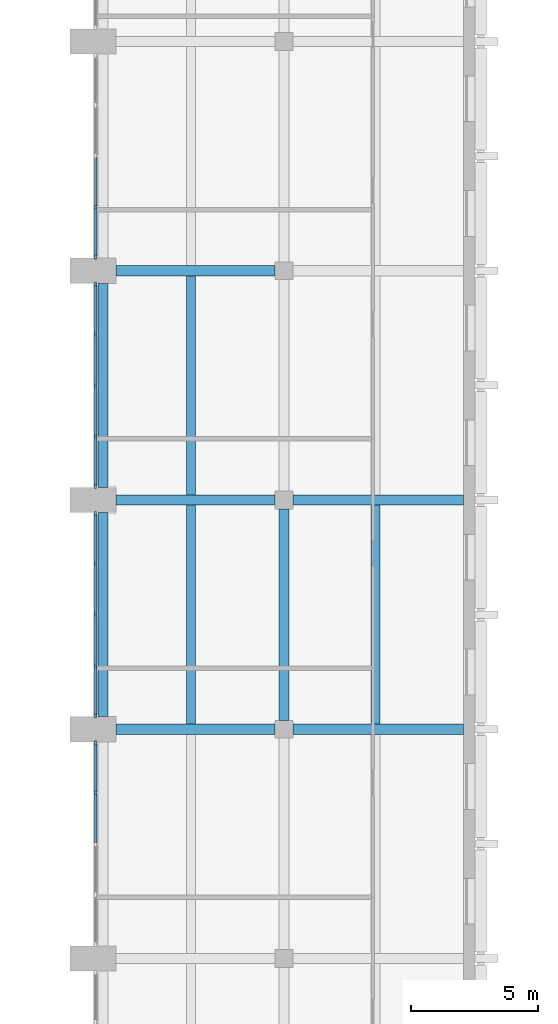
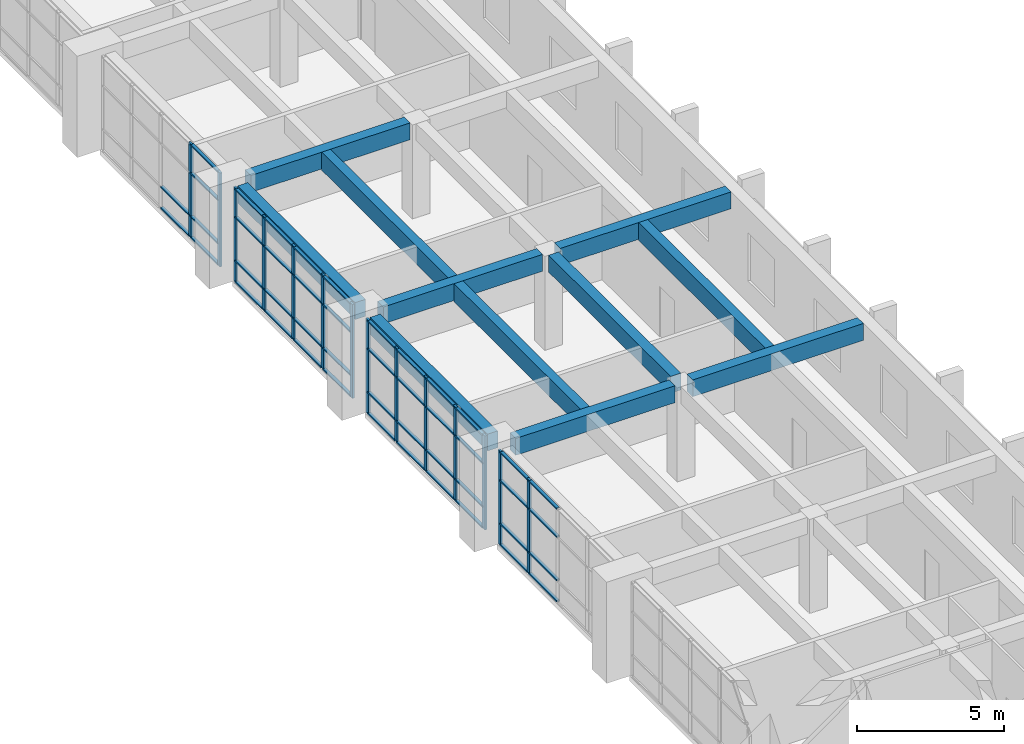
# One storey, part 12 of 43: 60 members, 11 beams, 4 elements without a shape of their own.
"""IFC4 building model written with IfcOpenShell, lengths in metres."""

from ifc_helpers import new_model, si_unit, direction, frame, origin, origin_2d, place, context, subcontext, project, spatial, rectangle, extrude, material, material_profile, profile_set, type_object, element, aggregate, save


model = new_model("IFC4")

# Units and contexts
model_context = context("Model", 3, precision=1e-05, world=origin(), true_north=direction((0.0, 1.0)))
body_context = subcontext(model_context, "Body", "Model", "MODEL_VIEW")
ifc_project = project(units=[si_unit("LENGTHUNIT", "METRE"), si_unit("AREAUNIT", "SQUARE_METRE"), si_unit("VOLUMEUNIT", "CUBIC_METRE"), si_unit("PLANEANGLEUNIT", "RADIAN"), si_unit("MASSUNIT", "GRAM", prefix="KILO")], contexts=[model_context])

# Site, building, storey
site_placement = place(None, origin())
site = spatial("IfcSite", under=ifc_project, at=site_placement, CompositionType="ELEMENT")
building_placement = place(site_placement, origin())
building = spatial("IfcBuilding", under=site, at=building_placement, Name="Elmora Arch Market Hall", CompositionType="ELEMENT")
storey_placement = place(building_placement, frame((0.0, 0.0, 10.199951171875)))
storey = spatial("IfcBuildingStorey", under=building, at=storey_placement, Name="L02", CompositionType="ELEMENT", Elevation=10.199951171875)

# Curtain wall, members
ifc_material_1 = material(Name="Aluminium", Category="aluminium")
curtain_wall_type = type_object("IfcCurtainWallType", Name="Hall front curtain wall", PredefinedType="NOTDEFINED", material=ifc_material_1)
curtain_wall_1_placement = place(storey_placement, origin())
curtain_wall_1 = element("IfcCurtainWall", 1, at=curtain_wall_1_placement, inside=storey, type_object=curtain_wall_type, Name="Wing front E L02 3", PredefinedType="NOTDEFINED")
ifc_material_2 = material(Name="Aluminium", Category="aluminium")
ifc_material_profile_1 = material_profile(ifc_material_2, rectangle(XDim=0.080078125, YDim=0.179931640625, at=origin_2d()), Name="AL 80x180")
ifc_profile_set_1 = profile_set([ifc_material_profile_1], Name="Aluminium")
member_type_1 = type_object("IfcMemberType", Name="Mullion 80x180", PredefinedType="MULLION", material=ifc_profile_set_1)
member_1_placement = place(storey_placement, frame((43.10009765625, 51.5, 0.0), z_axis=(0.0, 0.0, 1.0), x_axis=(-1.0, 0.0, 0.0)))
member_1 = element("IfcMember", 2, at=member_1_placement, type_object=member_type_1, Name="CW2 mullion 4", PredefinedType="MULLION", context=body_context, shape_type="SweptSolid", body=[
    extrude(rectangle(XDim=0.080078125, YDim=0.179931640625, at=origin_2d()), origin(), (0.0, 0.0, 1.0), 3.900146484375),
])
member_2_placement = place(storey_placement, frame((43.10009765625, 53.4599609375, 0.0), z_axis=(0.0, 0.0, 1.0), x_axis=(-1.0, 0.0, 0.0)))
member_2 = element("IfcMember", 3, at=member_2_placement, type_object=member_type_1, Name="CW2 mullion 5", PredefinedType="MULLION", context=body_context, shape_type="SweptSolid", body=[
    extrude(rectangle(XDim=0.080078125, YDim=0.179931640625, at=origin_2d()), origin(), (0.0, 0.0, 1.0), 3.900146484375),
])

curtain_wall_2_placement = place(storey_placement, origin())
curtain_wall_2 = element("IfcCurtainWall", 4, at=curtain_wall_2_placement, inside=storey, type_object=curtain_wall_type, Name="Wing front E L02 4", PredefinedType="NOTDEFINED")
member_3_placement = place(storey_placement, frame((43.10009765625, 54.5400390625, 0.0), z_axis=(0.0, 0.0, 1.0), x_axis=(-1.0, 0.0, 0.0)))
member_3 = element("IfcMember", 5, at=member_3_placement, type_object=member_type_1, Name="CW2 mullion 1", PredefinedType="MULLION", context=body_context, shape_type="SweptSolid", body=[
    extrude(rectangle(XDim=0.080078125, YDim=0.179931640625, at=origin_2d()), origin(), (0.0, 0.0, 1.0), 3.900146484375),
])
member_4_placement = place(storey_placement, frame((43.10009765625, 56.5, 0.0), z_axis=(0.0, 0.0, 1.0), x_axis=(-1.0, 0.0, 0.0)))
member_4 = element("IfcMember", 6, at=member_4_placement, type_object=member_type_1, Name="CW2 mullion 2", PredefinedType="MULLION", context=body_context, shape_type="SweptSolid", body=[
    extrude(rectangle(XDim=0.080078125, YDim=0.179931640625, at=origin_2d()), origin(), (0.0, 0.0, 1.0), 3.900146484375),
])
member_5_placement = place(storey_placement, frame((43.10009765625, 58.5, 0.0), z_axis=(0.0, 0.0, 1.0), x_axis=(-1.0, 0.0, 0.0)))
member_5 = element("IfcMember", 7, at=member_5_placement, type_object=member_type_1, Name="CW2 mullion 3", PredefinedType="MULLION", context=body_context, shape_type="SweptSolid", body=[
    extrude(rectangle(XDim=0.080078125, YDim=0.179931640625, at=origin_2d()), origin(), (0.0, 0.0, 1.0), 3.900146484375),
])
member_6_placement = place(storey_placement, frame((43.10009765625, 60.5, 0.0), z_axis=(0.0, 0.0, 1.0), x_axis=(-1.0, 0.0, 0.0)))
member_6 = element("IfcMember", 8, at=member_6_placement, type_object=member_type_1, Name="CW2 mullion 4", PredefinedType="MULLION", context=body_context, shape_type="SweptSolid", body=[
    extrude(rectangle(XDim=0.080078125, YDim=0.179931640625, at=origin_2d()), origin(), (0.0, 0.0, 1.0), 3.900146484375),
])
member_7_placement = place(storey_placement, frame((43.10009765625, 62.4599609375, 0.0), z_axis=(0.0, 0.0, 1.0), x_axis=(-1.0, 0.0, 0.0)))
member_7 = element("IfcMember", 9, at=member_7_placement, type_object=member_type_1, Name="CW2 mullion 5", PredefinedType="MULLION", context=body_context, shape_type="SweptSolid", body=[
    extrude(rectangle(XDim=0.080078125, YDim=0.179931640625, at=origin_2d()), origin(), (0.0, 0.0, 1.0), 3.900146484375),
])

curtain_wall_3_placement = place(storey_placement, origin())
curtain_wall_3 = element("IfcCurtainWall", 10, at=curtain_wall_3_placement, inside=storey, type_object=curtain_wall_type, Name="Wing front E L02 5", PredefinedType="NOTDEFINED")
member_8_placement = place(storey_placement, frame((43.10009765625, 63.5400390625, 0.0), z_axis=(0.0, 0.0, 1.0), x_axis=(-1.0, 0.0, 0.0)))
member_8 = element("IfcMember", 11, at=member_8_placement, type_object=member_type_1, Name="CW2 mullion 1", PredefinedType="MULLION", context=body_context, shape_type="SweptSolid", body=[
    extrude(rectangle(XDim=0.080078125, YDim=0.179931640625, at=origin_2d()), origin(), (0.0, 0.0, 1.0), 3.900146484375),
])
member_9_placement = place(storey_placement, frame((43.10009765625, 65.5, 0.0), z_axis=(0.0, 0.0, 1.0), x_axis=(-1.0, 0.0, 0.0)))
member_9 = element("IfcMember", 12, at=member_9_placement, type_object=member_type_1, Name="CW2 mullion 2", PredefinedType="MULLION", context=body_context, shape_type="SweptSolid", body=[
    extrude(rectangle(XDim=0.080078125, YDim=0.179931640625, at=origin_2d()), origin(), (0.0, 0.0, 1.0), 3.900146484375),
])
member_10_placement = place(storey_placement, frame((43.10009765625, 67.5, 0.0), z_axis=(0.0, 0.0, 1.0), x_axis=(-1.0, 0.0, 0.0)))
member_10 = element("IfcMember", 13, at=member_10_placement, type_object=member_type_1, Name="CW2 mullion 3", PredefinedType="MULLION", context=body_context, shape_type="SweptSolid", body=[
    extrude(rectangle(XDim=0.080078125, YDim=0.179931640625, at=origin_2d()), origin(), (0.0, 0.0, 1.0), 3.900146484375),
])
member_11_placement = place(storey_placement, frame((43.10009765625, 69.5, 0.0), z_axis=(0.0, 0.0, 1.0), x_axis=(-1.0, 0.0, 0.0)))
member_11 = element("IfcMember", 14, at=member_11_placement, type_object=member_type_1, Name="CW2 mullion 4", PredefinedType="MULLION", context=body_context, shape_type="SweptSolid", body=[
    extrude(rectangle(XDim=0.080078125, YDim=0.179931640625, at=origin_2d()), origin(), (0.0, 0.0, 1.0), 3.900146484375),
])
member_12_placement = place(storey_placement, frame((43.10009765625, 71.4599609375, 0.0), z_axis=(0.0, 0.0, 1.0), x_axis=(-1.0, 0.0, 0.0)))
member_12 = element("IfcMember", 15, at=member_12_placement, type_object=member_type_1, Name="CW2 mullion 5", PredefinedType="MULLION", context=body_context, shape_type="SweptSolid", body=[
    extrude(rectangle(XDim=0.080078125, YDim=0.179931640625, at=origin_2d()), origin(), (0.0, 0.0, 1.0), 3.900146484375),
])

curtain_wall_4_placement = place(storey_placement, origin())
curtain_wall_4 = element("IfcCurtainWall", 16, at=curtain_wall_4_placement, inside=storey, type_object=curtain_wall_type, Name="Wing front E L02 6", PredefinedType="NOTDEFINED")
member_13_placement = place(storey_placement, frame((43.10009765625, 72.5400390625, 0.0), z_axis=(0.0, 0.0, 1.0), x_axis=(-1.0, 0.0, 0.0)))
member_13 = element("IfcMember", 17, at=member_13_placement, type_object=member_type_1, Name="CW2 mullion 1", PredefinedType="MULLION", context=body_context, shape_type="SweptSolid", body=[
    extrude(rectangle(XDim=0.080078125, YDim=0.179931640625, at=origin_2d()), origin(), (0.0, 0.0, 1.0), 3.900146484375),
])
member_14_placement = place(storey_placement, frame((43.10009765625, 74.5, 0.0), z_axis=(0.0, 0.0, 1.0), x_axis=(-1.0, 0.0, 0.0)))
member_14 = element("IfcMember", 18, at=member_14_placement, type_object=member_type_1, Name="CW2 mullion 2", PredefinedType="MULLION", context=body_context, shape_type="SweptSolid", body=[
    extrude(rectangle(XDim=0.080078125, YDim=0.179931640625, at=origin_2d()), origin(), (0.0, 0.0, 1.0), 3.900146484375),
])

# Member
ifc_material_3 = material(Name="Aluminium", Category="aluminium")
ifc_material_profile_2 = material_profile(ifc_material_3, rectangle(XDim=0.1201171875, YDim=0.06005859375, at=origin_2d()), Name="AL 120x60")
ifc_profile_set_2 = profile_set([ifc_material_profile_2], Name="Aluminium")
member_type_2 = type_object("IfcMemberType", Name="Transom 120x60", PredefinedType="USERDEFINED", material=ifc_profile_set_2)
member_15_placement = place(storey_placement, frame((43.10009765625, 49.5400390625, 0.030029296875), z_axis=(0.0, 1.0, 0.0), x_axis=(-1.0, 0.0, 0.0)))
member_15 = element("IfcMember", 19, at=member_15_placement, type_object=member_type_2, Name="CW2 transom 3.1", ObjectType="TRANSOM", PredefinedType="USERDEFINED", context=body_context, shape_type="SweptSolid", body=[
    extrude(rectangle(XDim=0.1201171875, YDim=0.06005859375, at=origin_2d()), origin(), (0.0, 0.0, 1.0), 1.919921875),
])

member_16_placement = place(storey_placement, frame((43.10009765625, 49.5400390625, 0.900146484375), z_axis=(0.0, 1.0, 0.0), x_axis=(-1.0, 0.0, 0.0)))
member_16 = element("IfcMember", 20, at=member_16_placement, type_object=member_type_2, Name="CW2 transom 3.2", ObjectType="TRANSOM", PredefinedType="USERDEFINED", context=body_context, shape_type="SweptSolid", body=[
    extrude(rectangle(XDim=0.1201171875, YDim=0.06005859375, at=origin_2d()), origin(), (0.0, 0.0, 1.0), 1.919921875),
])

member_17_placement = place(storey_placement, frame((43.10009765625, 49.5400390625, 2.699951171875), z_axis=(0.0, 1.0, 0.0), x_axis=(-1.0, 0.0, 0.0)))
member_17 = element("IfcMember", 21, at=member_17_placement, type_object=member_type_2, Name="CW2 transom 3.3", ObjectType="TRANSOM", PredefinedType="USERDEFINED", context=body_context, shape_type="SweptSolid", body=[
    extrude(rectangle(XDim=0.1201171875, YDim=0.06005859375, at=origin_2d()), origin(), (0.0, 0.0, 1.0), 1.919921875),
])

member_18_placement = place(storey_placement, frame((43.10009765625, 49.5400390625, 3.8701171875), z_axis=(0.0, 1.0, 0.0), x_axis=(-1.0, 0.0, 0.0)))
member_18 = element("IfcMember", 22, at=member_18_placement, type_object=member_type_2, Name="CW2 transom 3.4", ObjectType="TRANSOM", PredefinedType="USERDEFINED", context=body_context, shape_type="SweptSolid", body=[
    extrude(rectangle(XDim=0.1201171875, YDim=0.06005859375, at=origin_2d()), origin(), (0.0, 0.0, 1.0), 1.919921875),
])

member_19_placement = place(storey_placement, frame((43.10009765625, 51.5400390625, 0.030029296875), z_axis=(0.0, 1.0, 0.0), x_axis=(-1.0, 0.0, 0.0)))
member_19 = element("IfcMember", 23, at=member_19_placement, type_object=member_type_2, Name="CW2 transom 4.1", ObjectType="TRANSOM", PredefinedType="USERDEFINED", context=body_context, shape_type="SweptSolid", body=[
    extrude(rectangle(XDim=0.1201171875, YDim=0.06005859375, at=origin_2d()), origin(), (0.0, 0.0, 1.0), 1.8798828125),
])

member_20_placement = place(storey_placement, frame((43.10009765625, 51.5400390625, 0.900146484375), z_axis=(0.0, 1.0, 0.0), x_axis=(-1.0, 0.0, 0.0)))
member_20 = element("IfcMember", 24, at=member_20_placement, type_object=member_type_2, Name="CW2 transom 4.2", ObjectType="TRANSOM", PredefinedType="USERDEFINED", context=body_context, shape_type="SweptSolid", body=[
    extrude(rectangle(XDim=0.1201171875, YDim=0.06005859375, at=origin_2d()), origin(), (0.0, 0.0, 1.0), 1.8798828125),
])

member_21_placement = place(storey_placement, frame((43.10009765625, 51.5400390625, 2.699951171875), z_axis=(0.0, 1.0, 0.0), x_axis=(-1.0, 0.0, 0.0)))
member_21 = element("IfcMember", 25, at=member_21_placement, type_object=member_type_2, Name="CW2 transom 4.3", ObjectType="TRANSOM", PredefinedType="USERDEFINED", context=body_context, shape_type="SweptSolid", body=[
    extrude(rectangle(XDim=0.1201171875, YDim=0.06005859375, at=origin_2d()), origin(), (0.0, 0.0, 1.0), 1.8798828125),
])

member_22_placement = place(storey_placement, frame((43.10009765625, 51.5400390625, 3.8701171875), z_axis=(0.0, 1.0, 0.0), x_axis=(-1.0, 0.0, 0.0)))
member_22 = element("IfcMember", 26, at=member_22_placement, type_object=member_type_2, Name="CW2 transom 4.4", ObjectType="TRANSOM", PredefinedType="USERDEFINED", context=body_context, shape_type="SweptSolid", body=[
    extrude(rectangle(XDim=0.1201171875, YDim=0.06005859375, at=origin_2d()), origin(), (0.0, 0.0, 1.0), 1.8798828125),
])

aggregate(curtain_wall_1, [member_1, member_2, member_15, member_16, member_17, member_18, member_19, member_20, member_21, member_22])

member_23_placement = place(storey_placement, frame((43.10009765625, 54.580078125, 0.030029296875), z_axis=(0.0, 1.0, 0.0), x_axis=(-1.0, 0.0, 0.0)))
member_23 = element("IfcMember", 27, at=member_23_placement, type_object=member_type_2, Name="CW2 transom 1.1", ObjectType="TRANSOM", PredefinedType="USERDEFINED", context=body_context, shape_type="SweptSolid", body=[
    extrude(rectangle(XDim=0.1201171875, YDim=0.06005859375, at=origin_2d()), origin(), (0.0, 0.0, 1.0), 1.8798828125),
])

member_24_placement = place(storey_placement, frame((43.10009765625, 54.580078125, 0.900146484375), z_axis=(0.0, 1.0, 0.0), x_axis=(-1.0, 0.0, 0.0)))
member_24 = element("IfcMember", 28, at=member_24_placement, type_object=member_type_2, Name="CW2 transom 1.2", ObjectType="TRANSOM", PredefinedType="USERDEFINED", context=body_context, shape_type="SweptSolid", body=[
    extrude(rectangle(XDim=0.1201171875, YDim=0.06005859375, at=origin_2d()), origin(), (0.0, 0.0, 1.0), 1.8798828125),
])

member_25_placement = place(storey_placement, frame((43.10009765625, 54.580078125, 2.699951171875), z_axis=(0.0, 1.0, 0.0), x_axis=(-1.0, 0.0, 0.0)))
member_25 = element("IfcMember", 29, at=member_25_placement, type_object=member_type_2, Name="CW2 transom 1.3", ObjectType="TRANSOM", PredefinedType="USERDEFINED", context=body_context, shape_type="SweptSolid", body=[
    extrude(rectangle(XDim=0.1201171875, YDim=0.06005859375, at=origin_2d()), origin(), (0.0, 0.0, 1.0), 1.8798828125),
])

member_26_placement = place(storey_placement, frame((43.10009765625, 54.580078125, 3.8701171875), z_axis=(0.0, 1.0, 0.0), x_axis=(-1.0, 0.0, 0.0)))
member_26 = element("IfcMember", 30, at=member_26_placement, type_object=member_type_2, Name="CW2 transom 1.4", ObjectType="TRANSOM", PredefinedType="USERDEFINED", context=body_context, shape_type="SweptSolid", body=[
    extrude(rectangle(XDim=0.1201171875, YDim=0.06005859375, at=origin_2d()), origin(), (0.0, 0.0, 1.0), 1.8798828125),
])

member_27_placement = place(storey_placement, frame((43.10009765625, 56.5400390625, 0.030029296875), z_axis=(0.0, 1.0, 0.0), x_axis=(-1.0, 0.0, 0.0)))
member_27 = element("IfcMember", 31, at=member_27_placement, type_object=member_type_2, Name="CW2 transom 2.1", ObjectType="TRANSOM", PredefinedType="USERDEFINED", context=body_context, shape_type="SweptSolid", body=[
    extrude(rectangle(XDim=0.1201171875, YDim=0.06005859375, at=origin_2d()), origin(), (0.0, 0.0, 1.0), 1.919921875),
])

member_28_placement = place(storey_placement, frame((43.10009765625, 56.5400390625, 0.900146484375), z_axis=(0.0, 1.0, 0.0), x_axis=(-1.0, 0.0, 0.0)))
member_28 = element("IfcMember", 32, at=member_28_placement, type_object=member_type_2, Name="CW2 transom 2.2", ObjectType="TRANSOM", PredefinedType="USERDEFINED", context=body_context, shape_type="SweptSolid", body=[
    extrude(rectangle(XDim=0.1201171875, YDim=0.06005859375, at=origin_2d()), origin(), (0.0, 0.0, 1.0), 1.919921875),
])

member_29_placement = place(storey_placement, frame((43.10009765625, 56.5400390625, 2.699951171875), z_axis=(0.0, 1.0, 0.0), x_axis=(-1.0, 0.0, 0.0)))
member_29 = element("IfcMember", 33, at=member_29_placement, type_object=member_type_2, Name="CW2 transom 2.3", ObjectType="TRANSOM", PredefinedType="USERDEFINED", context=body_context, shape_type="SweptSolid", body=[
    extrude(rectangle(XDim=0.1201171875, YDim=0.06005859375, at=origin_2d()), origin(), (0.0, 0.0, 1.0), 1.919921875),
])

member_30_placement = place(storey_placement, frame((43.10009765625, 56.5400390625, 3.8701171875), z_axis=(0.0, 1.0, 0.0), x_axis=(-1.0, 0.0, 0.0)))
member_30 = element("IfcMember", 34, at=member_30_placement, type_object=member_type_2, Name="CW2 transom 2.4", ObjectType="TRANSOM", PredefinedType="USERDEFINED", context=body_context, shape_type="SweptSolid", body=[
    extrude(rectangle(XDim=0.1201171875, YDim=0.06005859375, at=origin_2d()), origin(), (0.0, 0.0, 1.0), 1.919921875),
])

member_31_placement = place(storey_placement, frame((43.10009765625, 58.5400390625, 0.030029296875), z_axis=(0.0, 1.0, 0.0), x_axis=(-1.0, 0.0, 0.0)))
member_31 = element("IfcMember", 35, at=member_31_placement, type_object=member_type_2, Name="CW2 transom 3.1", ObjectType="TRANSOM", PredefinedType="USERDEFINED", context=body_context, shape_type="SweptSolid", body=[
    extrude(rectangle(XDim=0.1201171875, YDim=0.06005859375, at=origin_2d()), origin(), (0.0, 0.0, 1.0), 1.919921875),
])

member_32_placement = place(storey_placement, frame((43.10009765625, 58.5400390625, 0.900146484375), z_axis=(0.0, 1.0, 0.0), x_axis=(-1.0, 0.0, 0.0)))
member_32 = element("IfcMember", 36, at=member_32_placement, type_object=member_type_2, Name="CW2 transom 3.2", ObjectType="TRANSOM", PredefinedType="USERDEFINED", context=body_context, shape_type="SweptSolid", body=[
    extrude(rectangle(XDim=0.1201171875, YDim=0.06005859375, at=origin_2d()), origin(), (0.0, 0.0, 1.0), 1.919921875),
])

member_33_placement = place(storey_placement, frame((43.10009765625, 58.5400390625, 2.699951171875), z_axis=(0.0, 1.0, 0.0), x_axis=(-1.0, 0.0, 0.0)))
member_33 = element("IfcMember", 37, at=member_33_placement, type_object=member_type_2, Name="CW2 transom 3.3", ObjectType="TRANSOM", PredefinedType="USERDEFINED", context=body_context, shape_type="SweptSolid", body=[
    extrude(rectangle(XDim=0.1201171875, YDim=0.06005859375, at=origin_2d()), origin(), (0.0, 0.0, 1.0), 1.919921875),
])

member_34_placement = place(storey_placement, frame((43.10009765625, 58.5400390625, 3.8701171875), z_axis=(0.0, 1.0, 0.0), x_axis=(-1.0, 0.0, 0.0)))
member_34 = element("IfcMember", 38, at=member_34_placement, type_object=member_type_2, Name="CW2 transom 3.4", ObjectType="TRANSOM", PredefinedType="USERDEFINED", context=body_context, shape_type="SweptSolid", body=[
    extrude(rectangle(XDim=0.1201171875, YDim=0.06005859375, at=origin_2d()), origin(), (0.0, 0.0, 1.0), 1.919921875),
])

member_35_placement = place(storey_placement, frame((43.10009765625, 60.5400390625, 0.030029296875), z_axis=(0.0, 1.0, 0.0), x_axis=(-1.0, 0.0, 0.0)))
member_35 = element("IfcMember", 39, at=member_35_placement, type_object=member_type_2, Name="CW2 transom 4.1", ObjectType="TRANSOM", PredefinedType="USERDEFINED", context=body_context, shape_type="SweptSolid", body=[
    extrude(rectangle(XDim=0.1201171875, YDim=0.06005859375, at=origin_2d()), origin(), (0.0, 0.0, 1.0), 1.8798828125),
])

member_36_placement = place(storey_placement, frame((43.10009765625, 60.5400390625, 0.900146484375), z_axis=(0.0, 1.0, 0.0), x_axis=(-1.0, 0.0, 0.0)))
member_36 = element("IfcMember", 40, at=member_36_placement, type_object=member_type_2, Name="CW2 transom 4.2", ObjectType="TRANSOM", PredefinedType="USERDEFINED", context=body_context, shape_type="SweptSolid", body=[
    extrude(rectangle(XDim=0.1201171875, YDim=0.06005859375, at=origin_2d()), origin(), (0.0, 0.0, 1.0), 1.8798828125),
])

member_37_placement = place(storey_placement, frame((43.10009765625, 60.5400390625, 2.699951171875), z_axis=(0.0, 1.0, 0.0), x_axis=(-1.0, 0.0, 0.0)))
member_37 = element("IfcMember", 41, at=member_37_placement, type_object=member_type_2, Name="CW2 transom 4.3", ObjectType="TRANSOM", PredefinedType="USERDEFINED", context=body_context, shape_type="SweptSolid", body=[
    extrude(rectangle(XDim=0.1201171875, YDim=0.06005859375, at=origin_2d()), origin(), (0.0, 0.0, 1.0), 1.8798828125),
])

member_38_placement = place(storey_placement, frame((43.10009765625, 60.5400390625, 3.8701171875), z_axis=(0.0, 1.0, 0.0), x_axis=(-1.0, 0.0, 0.0)))
member_38 = element("IfcMember", 42, at=member_38_placement, type_object=member_type_2, Name="CW2 transom 4.4", ObjectType="TRANSOM", PredefinedType="USERDEFINED", context=body_context, shape_type="SweptSolid", body=[
    extrude(rectangle(XDim=0.1201171875, YDim=0.06005859375, at=origin_2d()), origin(), (0.0, 0.0, 1.0), 1.8798828125),
])

aggregate(curtain_wall_2, [member_3, member_4, member_5, member_6, member_7, member_23, member_24, member_25, member_26, member_27, member_28, member_29, member_30, member_31, member_32, member_33, member_34, member_35, member_36, member_37, member_38])

member_39_placement = place(storey_placement, frame((43.10009765625, 63.580078125, 0.030029296875), z_axis=(0.0, 1.0, 0.0), x_axis=(-1.0, 0.0, 0.0)))
member_39 = element("IfcMember", 43, at=member_39_placement, type_object=member_type_2, Name="CW2 transom 1.1", ObjectType="TRANSOM", PredefinedType="USERDEFINED", context=body_context, shape_type="SweptSolid", body=[
    extrude(rectangle(XDim=0.1201171875, YDim=0.06005859375, at=origin_2d()), origin(), (0.0, 0.0, 1.0), 1.8798828125),
])

member_40_placement = place(storey_placement, frame((43.10009765625, 63.580078125, 0.900146484375), z_axis=(0.0, 1.0, 0.0), x_axis=(-1.0, 0.0, 0.0)))
member_40 = element("IfcMember", 44, at=member_40_placement, type_object=member_type_2, Name="CW2 transom 1.2", ObjectType="TRANSOM", PredefinedType="USERDEFINED", context=body_context, shape_type="SweptSolid", body=[
    extrude(rectangle(XDim=0.1201171875, YDim=0.06005859375, at=origin_2d()), origin(), (0.0, 0.0, 1.0), 1.8798828125),
])

member_41_placement = place(storey_placement, frame((43.10009765625, 63.580078125, 2.699951171875), z_axis=(0.0, 1.0, 0.0), x_axis=(-1.0, 0.0, 0.0)))
member_41 = element("IfcMember", 45, at=member_41_placement, type_object=member_type_2, Name="CW2 transom 1.3", ObjectType="TRANSOM", PredefinedType="USERDEFINED", context=body_context, shape_type="SweptSolid", body=[
    extrude(rectangle(XDim=0.1201171875, YDim=0.06005859375, at=origin_2d()), origin(), (0.0, 0.0, 1.0), 1.8798828125),
])

member_42_placement = place(storey_placement, frame((43.10009765625, 63.580078125, 3.8701171875), z_axis=(0.0, 1.0, 0.0), x_axis=(-1.0, 0.0, 0.0)))
member_42 = element("IfcMember", 46, at=member_42_placement, type_object=member_type_2, Name="CW2 transom 1.4", ObjectType="TRANSOM", PredefinedType="USERDEFINED", context=body_context, shape_type="SweptSolid", body=[
    extrude(rectangle(XDim=0.1201171875, YDim=0.06005859375, at=origin_2d()), origin(), (0.0, 0.0, 1.0), 1.8798828125),
])

member_43_placement = place(storey_placement, frame((43.10009765625, 65.5400390625, 0.030029296875), z_axis=(0.0, 1.0, 0.0), x_axis=(-1.0, 0.0, 0.0)))
member_43 = element("IfcMember", 47, at=member_43_placement, type_object=member_type_2, Name="CW2 transom 2.1", ObjectType="TRANSOM", PredefinedType="USERDEFINED", context=body_context, shape_type="SweptSolid", body=[
    extrude(rectangle(XDim=0.1201171875, YDim=0.06005859375, at=origin_2d()), origin(), (0.0, 0.0, 1.0), 1.919921875),
])

member_44_placement = place(storey_placement, frame((43.10009765625, 65.5400390625, 0.900146484375), z_axis=(0.0, 1.0, 0.0), x_axis=(-1.0, 0.0, 0.0)))
member_44 = element("IfcMember", 48, at=member_44_placement, type_object=member_type_2, Name="CW2 transom 2.2", ObjectType="TRANSOM", PredefinedType="USERDEFINED", context=body_context, shape_type="SweptSolid", body=[
    extrude(rectangle(XDim=0.1201171875, YDim=0.06005859375, at=origin_2d()), origin(), (0.0, 0.0, 1.0), 1.919921875),
])

member_45_placement = place(storey_placement, frame((43.10009765625, 65.5400390625, 2.699951171875), z_axis=(0.0, 1.0, 0.0), x_axis=(-1.0, 0.0, 0.0)))
member_45 = element("IfcMember", 49, at=member_45_placement, type_object=member_type_2, Name="CW2 transom 2.3", ObjectType="TRANSOM", PredefinedType="USERDEFINED", context=body_context, shape_type="SweptSolid", body=[
    extrude(rectangle(XDim=0.1201171875, YDim=0.06005859375, at=origin_2d()), origin(), (0.0, 0.0, 1.0), 1.919921875),
])

member_46_placement = place(storey_placement, frame((43.10009765625, 65.5400390625, 3.8701171875), z_axis=(0.0, 1.0, 0.0), x_axis=(-1.0, 0.0, 0.0)))
member_46 = element("IfcMember", 50, at=member_46_placement, type_object=member_type_2, Name="CW2 transom 2.4", ObjectType="TRANSOM", PredefinedType="USERDEFINED", context=body_context, shape_type="SweptSolid", body=[
    extrude(rectangle(XDim=0.1201171875, YDim=0.06005859375, at=origin_2d()), origin(), (0.0, 0.0, 1.0), 1.919921875),
])

member_47_placement = place(storey_placement, frame((43.10009765625, 67.5400390625, 0.030029296875), z_axis=(0.0, 1.0, 0.0), x_axis=(-1.0, 0.0, 0.0)))
member_47 = element("IfcMember", 51, at=member_47_placement, type_object=member_type_2, Name="CW2 transom 3.1", ObjectType="TRANSOM", PredefinedType="USERDEFINED", context=body_context, shape_type="SweptSolid", body=[
    extrude(rectangle(XDim=0.1201171875, YDim=0.06005859375, at=origin_2d()), origin(), (0.0, 0.0, 1.0), 1.919921875),
])

member_48_placement = place(storey_placement, frame((43.10009765625, 67.5400390625, 0.900146484375), z_axis=(0.0, 1.0, 0.0), x_axis=(-1.0, 0.0, 0.0)))
member_48 = element("IfcMember", 52, at=member_48_placement, type_object=member_type_2, Name="CW2 transom 3.2", ObjectType="TRANSOM", PredefinedType="USERDEFINED", context=body_context, shape_type="SweptSolid", body=[
    extrude(rectangle(XDim=0.1201171875, YDim=0.06005859375, at=origin_2d()), origin(), (0.0, 0.0, 1.0), 1.919921875),
])

member_49_placement = place(storey_placement, frame((43.10009765625, 67.5400390625, 2.699951171875), z_axis=(0.0, 1.0, 0.0), x_axis=(-1.0, 0.0, 0.0)))
member_49 = element("IfcMember", 53, at=member_49_placement, type_object=member_type_2, Name="CW2 transom 3.3", ObjectType="TRANSOM", PredefinedType="USERDEFINED", context=body_context, shape_type="SweptSolid", body=[
    extrude(rectangle(XDim=0.1201171875, YDim=0.06005859375, at=origin_2d()), origin(), (0.0, 0.0, 1.0), 1.919921875),
])

member_50_placement = place(storey_placement, frame((43.10009765625, 67.5400390625, 3.8701171875), z_axis=(0.0, 1.0, 0.0), x_axis=(-1.0, 0.0, 0.0)))
member_50 = element("IfcMember", 54, at=member_50_placement, type_object=member_type_2, Name="CW2 transom 3.4", ObjectType="TRANSOM", PredefinedType="USERDEFINED", context=body_context, shape_type="SweptSolid", body=[
    extrude(rectangle(XDim=0.1201171875, YDim=0.06005859375, at=origin_2d()), origin(), (0.0, 0.0, 1.0), 1.919921875),
])

member_51_placement = place(storey_placement, frame((43.10009765625, 69.5400390625, 0.030029296875), z_axis=(0.0, 1.0, 0.0), x_axis=(-1.0, 0.0, 0.0)))
member_51 = element("IfcMember", 55, at=member_51_placement, type_object=member_type_2, Name="CW2 transom 4.1", ObjectType="TRANSOM", PredefinedType="USERDEFINED", context=body_context, shape_type="SweptSolid", body=[
    extrude(rectangle(XDim=0.1201171875, YDim=0.06005859375, at=origin_2d()), origin(), (0.0, 0.0, 1.0), 1.8798828125),
])

member_52_placement = place(storey_placement, frame((43.10009765625, 69.5400390625, 0.900146484375), z_axis=(0.0, 1.0, 0.0), x_axis=(-1.0, 0.0, 0.0)))
member_52 = element("IfcMember", 56, at=member_52_placement, type_object=member_type_2, Name="CW2 transom 4.2", ObjectType="TRANSOM", PredefinedType="USERDEFINED", context=body_context, shape_type="SweptSolid", body=[
    extrude(rectangle(XDim=0.1201171875, YDim=0.06005859375, at=origin_2d()), origin(), (0.0, 0.0, 1.0), 1.8798828125),
])

member_53_placement = place(storey_placement, frame((43.10009765625, 69.5400390625, 2.699951171875), z_axis=(0.0, 1.0, 0.0), x_axis=(-1.0, 0.0, 0.0)))
member_53 = element("IfcMember", 57, at=member_53_placement, type_object=member_type_2, Name="CW2 transom 4.3", ObjectType="TRANSOM", PredefinedType="USERDEFINED", context=body_context, shape_type="SweptSolid", body=[
    extrude(rectangle(XDim=0.1201171875, YDim=0.06005859375, at=origin_2d()), origin(), (0.0, 0.0, 1.0), 1.8798828125),
])

member_54_placement = place(storey_placement, frame((43.10009765625, 69.5400390625, 3.8701171875), z_axis=(0.0, 1.0, 0.0), x_axis=(-1.0, 0.0, 0.0)))
member_54 = element("IfcMember", 58, at=member_54_placement, type_object=member_type_2, Name="CW2 transom 4.4", ObjectType="TRANSOM", PredefinedType="USERDEFINED", context=body_context, shape_type="SweptSolid", body=[
    extrude(rectangle(XDim=0.1201171875, YDim=0.06005859375, at=origin_2d()), origin(), (0.0, 0.0, 1.0), 1.8798828125),
])

aggregate(curtain_wall_3, [member_8, member_9, member_10, member_11, member_12, member_39, member_40, member_41, member_42, member_43, member_44, member_45, member_46, member_47, member_48, member_49, member_50, member_51, member_52, member_53, member_54])

member_55_placement = place(storey_placement, frame((43.10009765625, 72.580078125, 0.030029296875), z_axis=(0.0, 1.0, 0.0), x_axis=(-1.0, 0.0, 0.0)))
member_55 = element("IfcMember", 59, at=member_55_placement, type_object=member_type_2, Name="CW2 transom 1.1", ObjectType="TRANSOM", PredefinedType="USERDEFINED", context=body_context, shape_type="SweptSolid", body=[
    extrude(rectangle(XDim=0.1201171875, YDim=0.06005859375, at=origin_2d()), origin(), (0.0, 0.0, 1.0), 1.8798828125),
])

member_56_placement = place(storey_placement, frame((43.10009765625, 72.580078125, 0.900146484375), z_axis=(0.0, 1.0, 0.0), x_axis=(-1.0, 0.0, 0.0)))
member_56 = element("IfcMember", 60, at=member_56_placement, type_object=member_type_2, Name="CW2 transom 1.2", ObjectType="TRANSOM", PredefinedType="USERDEFINED", context=body_context, shape_type="SweptSolid", body=[
    extrude(rectangle(XDim=0.1201171875, YDim=0.06005859375, at=origin_2d()), origin(), (0.0, 0.0, 1.0), 1.8798828125),
])

member_57_placement = place(storey_placement, frame((43.10009765625, 72.580078125, 2.699951171875), z_axis=(0.0, 1.0, 0.0), x_axis=(-1.0, 0.0, 0.0)))
member_57 = element("IfcMember", 61, at=member_57_placement, type_object=member_type_2, Name="CW2 transom 1.3", ObjectType="TRANSOM", PredefinedType="USERDEFINED", context=body_context, shape_type="SweptSolid", body=[
    extrude(rectangle(XDim=0.1201171875, YDim=0.06005859375, at=origin_2d()), origin(), (0.0, 0.0, 1.0), 1.8798828125),
])

member_58_placement = place(storey_placement, frame((43.10009765625, 72.580078125, 3.8701171875), z_axis=(0.0, 1.0, 0.0), x_axis=(-1.0, 0.0, 0.0)))
member_58 = element("IfcMember", 62, at=member_58_placement, type_object=member_type_2, Name="CW2 transom 1.4", ObjectType="TRANSOM", PredefinedType="USERDEFINED", context=body_context, shape_type="SweptSolid", body=[
    extrude(rectangle(XDim=0.1201171875, YDim=0.06005859375, at=origin_2d()), origin(), (0.0, 0.0, 1.0), 1.8798828125),
])

member_59_placement = place(storey_placement, frame((43.10009765625, 74.5400390625, 0.030029296875), z_axis=(0.0, 1.0, 0.0), x_axis=(-1.0, 0.0, 0.0)))
member_59 = element("IfcMember", 63, at=member_59_placement, type_object=member_type_2, Name="CW2 transom 2.1", ObjectType="TRANSOM", PredefinedType="USERDEFINED", context=body_context, shape_type="SweptSolid", body=[
    extrude(rectangle(XDim=0.1201171875, YDim=0.06005859375, at=origin_2d()), origin(), (0.0, 0.0, 1.0), 1.919921875),
])

member_60_placement = place(storey_placement, frame((43.10009765625, 74.5400390625, 0.900146484375), z_axis=(0.0, 1.0, 0.0), x_axis=(-1.0, 0.0, 0.0)))
member_60 = element("IfcMember", 64, at=member_60_placement, type_object=member_type_2, Name="CW2 transom 2.2", ObjectType="TRANSOM", PredefinedType="USERDEFINED", context=body_context, shape_type="SweptSolid", body=[
    extrude(rectangle(XDim=0.1201171875, YDim=0.06005859375, at=origin_2d()), origin(), (0.0, 0.0, 1.0), 1.919921875),
])

aggregate(curtain_wall_4, [member_13, member_14, member_55, member_56, member_57, member_58, member_59, member_60])

# Beams
ifc_material_4 = material(Name="Concrete C32/40", Category="concrete")
ifc_material_profile_3 = material_profile(ifc_material_4, rectangle(XDim=0.39990234375, YDim=0.699951171875, at=origin_2d()), Name="Wing beam 400x700")
ifc_profile_set_3 = profile_set([ifc_material_profile_3], Name="Concrete C32/40")
beam_type_1 = type_object("IfcBeamType", Name="Wing beam 400x700", PredefinedType="BEAM", material=ifc_profile_set_3)
beam_1_placement = place(storey_placement, frame((43.89990234375, 54.0, 3.550048828125), z_axis=(1.0, 0.0, 0.0), x_axis=(0.0, 1.0, 0.0)))
element("IfcBeam", 65, at=beam_1_placement, inside=storey, type_object=beam_type_1, Name="Wing beam ER4 L02.1", PredefinedType="BEAM", context=body_context, shape_type="SweptSolid", body=[
    extrude(rectangle(XDim=0.39990234375, YDim=0.699951171875, at=origin_2d()), origin(), (0.0, 0.0, 1.0), 6.25),
])
beam_2_placement = place(storey_placement, frame((50.85009765625, 54.0, 3.550048828125), z_axis=(1.0, 0.0, 0.0), x_axis=(0.0, 1.0, 0.0)))
element("IfcBeam", 66, at=beam_2_placement, inside=storey, type_object=beam_type_1, Name="Wing beam ER4 L02.2", PredefinedType="BEAM", context=body_context, shape_type="SweptSolid", body=[
    extrude(rectangle(XDim=0.39990234375, YDim=0.699951171875, at=origin_2d()), origin(), (0.0, 0.0, 1.0), 6.699951171875),
])
beam_3_placement = place(storey_placement, frame((43.89990234375, 63.0, 3.550048828125), z_axis=(1.0, 0.0, 0.0), x_axis=(0.0, 1.0, 0.0)))
element("IfcBeam", 67, at=beam_3_placement, inside=storey, type_object=beam_type_1, Name="Wing beam ER5 L02.1", PredefinedType="BEAM", context=body_context, shape_type="SweptSolid", body=[
    extrude(rectangle(XDim=0.39990234375, YDim=0.699951171875, at=origin_2d()), origin(), (0.0, 0.0, 1.0), 6.25),
])
beam_4_placement = place(storey_placement, frame((50.85009765625, 63.0, 3.550048828125), z_axis=(1.0, 0.0, 0.0), x_axis=(0.0, 1.0, 0.0)))
element("IfcBeam", 68, at=beam_4_placement, inside=storey, type_object=beam_type_1, Name="Wing beam ER5 L02.2", PredefinedType="BEAM", context=body_context, shape_type="SweptSolid", body=[
    extrude(rectangle(XDim=0.39990234375, YDim=0.699951171875, at=origin_2d()), origin(), (0.0, 0.0, 1.0), 6.699951171875),
])
beam_5_placement = place(storey_placement, frame((43.89990234375, 72.0, 3.550048828125), z_axis=(1.0, 0.0, 0.0), x_axis=(0.0, 1.0, 0.0)))
element("IfcBeam", 69, at=beam_5_placement, inside=storey, type_object=beam_type_1, Name="Wing beam ER6 L02.1", PredefinedType="BEAM", context=body_context, shape_type="SweptSolid", body=[
    extrude(rectangle(XDim=0.39990234375, YDim=0.699951171875, at=origin_2d()), origin(), (0.0, 0.0, 1.0), 6.25),
])
beam_6_placement = place(storey_placement, frame((50.5, 54.35009765625, 3.550048828125), z_axis=(0.0, 1.0, 0.0), x_axis=(-1.0, 0.0, 0.0)))
element("IfcBeam", 70, at=beam_6_placement, inside=storey, type_object=beam_type_1, Name="Wing beam EG L02.4", PredefinedType="BEAM", context=body_context, shape_type="SweptSolid", body=[
    extrude(rectangle(XDim=0.39990234375, YDim=0.699951171875, at=origin_2d()), origin(), (0.0, 0.0, 1.0), 8.2998046875),
])
for number, where, z_axis, x_axis, name in (
    (71, (43.39990234375, 54.5, 3.550048828125), (0.0, 1.0, 0.0), (-1.0, 0.0, 0.0), "Wing beam EEB L02.4"),
    (72, (43.39990234375, 63.5, 3.550048828125), (0.0, 1.0, 0.0), (-1.0, 0.0, 0.0), "Wing beam EEB L02.5"),
):
    element("IfcBeam", number, at=place(storey_placement, frame(where, z_axis=z_axis, x_axis=x_axis)), inside=storey, type_object=beam_type_1, Name=name, PredefinedType="BEAM", context=body_context, shape_type="SweptSolid", body=[
        extrude(rectangle(XDim=0.39990234375, YDim=0.699951171875, at=origin_2d()), origin(), (0.0, 0.0, 1.0), 8.0),
    ])
ifc_material_5 = material(Name="Concrete C32/40", Category="concrete")
ifc_material_profile_4 = material_profile(ifc_material_5, rectangle(XDim=0.35009765625, YDim=0.75, at=origin_2d()), Name="Wing joist 350x750")
ifc_profile_set_4 = profile_set([ifc_material_profile_4], Name="Concrete C32/40")
beam_type_2 = type_object("IfcBeamType", Name="Wing joist 350x750", PredefinedType="JOIST", material=ifc_profile_set_4)
for number, where, z_axis, x_axis, name in (
    (73, (46.85009765625, 54.199951171875, 3.525146484375), (0.0, 1.0, 0.0), (-1.0, 0.0, 0.0), "Wing joist EJ1 L02.4"),
    (74, (46.85009765625, 63.199951171875, 3.525146484375), (0.0, 1.0, 0.0), (-1.0, 0.0, 0.0), "Wing joist EJ1 L02.5"),
    (75, (54.10009765625, 54.199951171875, 3.525146484375), (0.0, 1.0, 0.0), (-1.0, 0.0, 0.0), "Wing joist EJ2 L02.4"),
):
    element("IfcBeam", number, at=place(storey_placement, frame(where, z_axis=z_axis, x_axis=x_axis)), inside=storey, type_object=beam_type_2, Name=name, PredefinedType="JOIST", context=body_context, shape_type="SweptSolid", body=[
        extrude(rectangle(XDim=0.35009765625, YDim=0.75, at=origin_2d()), origin(), (0.0, 0.0, 1.0), 8.60009765625),
    ])

save(model, "model.ifc")
